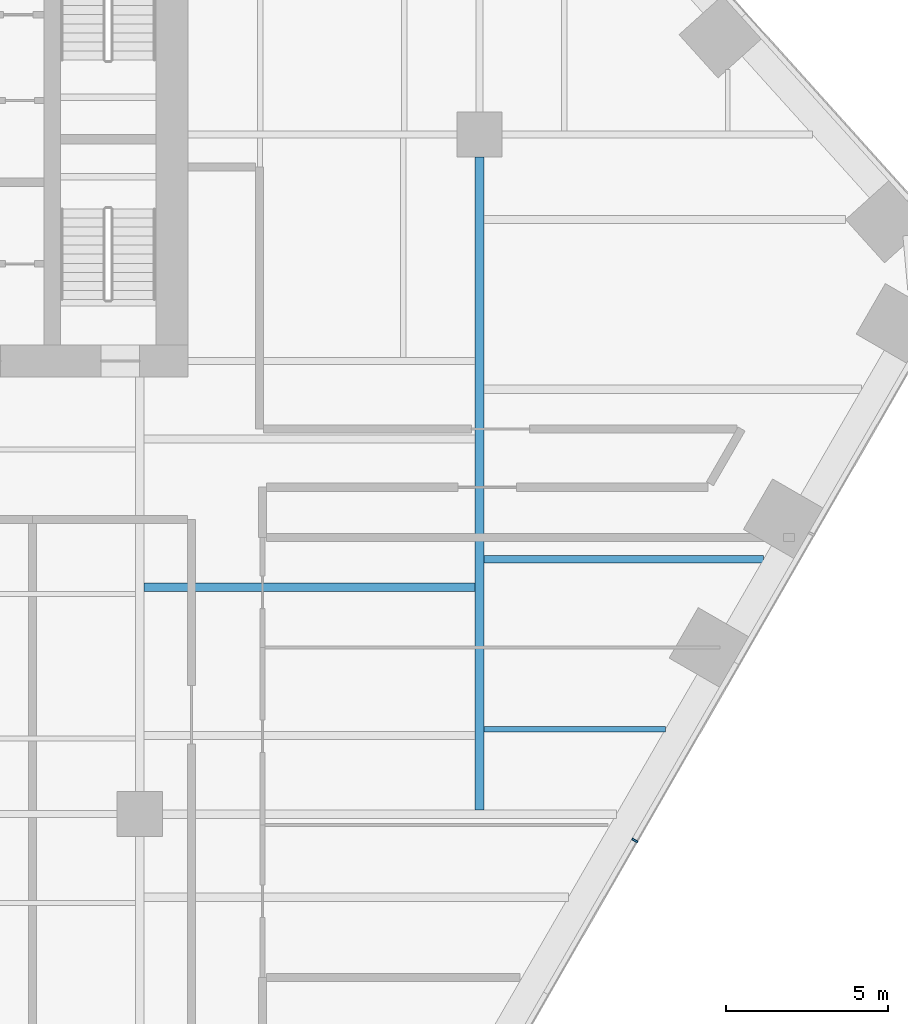
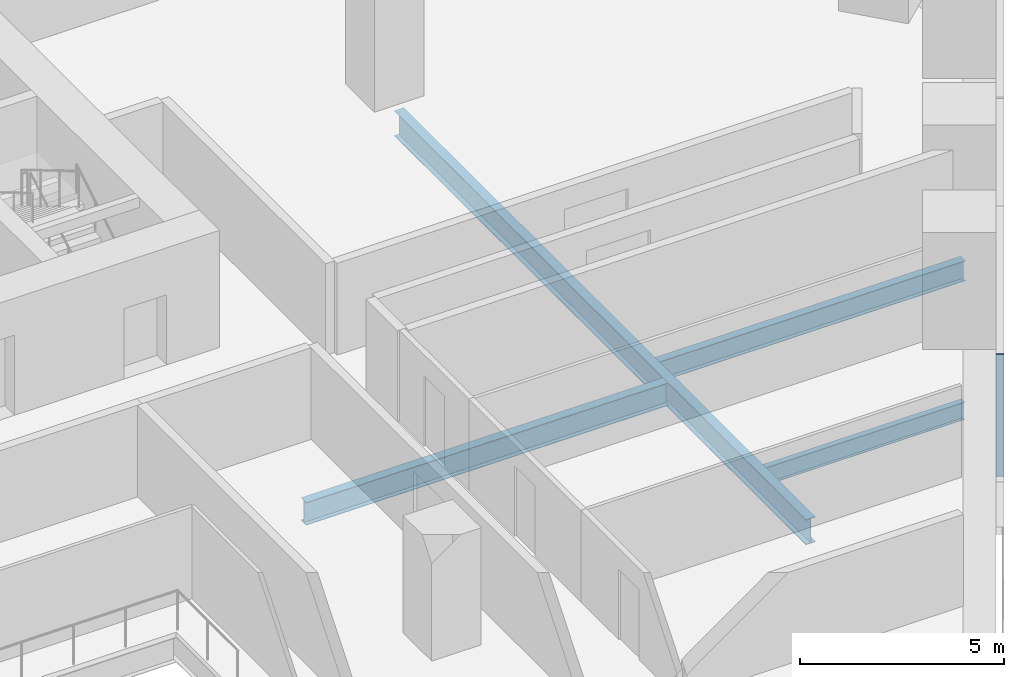
# One storey, part 7 of 20: 4 beams, 1 member, 1 element without a shape of its own.
"""IFC4 building model written with IfcOpenShell, lengths in metres."""

from ifc_helpers import new_model, si_unit, direction, frame, origin, origin_2d, place, context, subcontext, project, spatial, rectangle, i_section, extrude, material, layer, layer_set, material_profile, profile_set, type_object, element, aggregate, save


model = new_model("IFC4")

# Units and contexts
model_context = context("Model", 3, precision=1e-05, world=origin(), true_north=direction((0.0, 1.0)))
body_context = subcontext(model_context, "Body", "Model", "MODEL_VIEW")
ifc_project = project(units=[si_unit("LENGTHUNIT", "METRE"), si_unit("AREAUNIT", "SQUARE_METRE"), si_unit("VOLUMEUNIT", "CUBIC_METRE"), si_unit("PLANEANGLEUNIT", "RADIAN"), si_unit("MASSUNIT", "GRAM", prefix="KILO")], contexts=[model_context])

# Site, building, storey
site_placement = place(None, origin())
site = spatial("IfcSite", under=ifc_project, at=site_placement, CompositionType="ELEMENT")
building_placement = place(site_placement, origin())
building = spatial("IfcBuilding", under=site, at=building_placement, Name="Isthmus Gate Tower", CompositionType="ELEMENT")
storey_placement = place(building_placement, frame((0.0, 0.0, 65.199951171875)))
storey = spatial("IfcBuildingStorey", under=building, at=storey_placement, Name="L14", CompositionType="ELEMENT", Elevation=65.199951171875)

# Curtain wall, member
ifc_material_1 = material(Name="Aluminium, pale champagne anodised", Category="aluminium")
ifc_layer = layer(ifc_material_1, 0.199951171875)
ifc_layer_set = layer_set([ifc_layer], Name="CW-1 UNITISED CURTAIN WALL 200 DEEP")
curtain_wall_type = type_object("IfcCurtainWallType", Name="CW-1 UNITISED CURTAIN WALL 200 DEEP", PredefinedType="NOTDEFINED", material=ifc_layer_set)
curtain_wall_placement = place(storey_placement, origin())
curtain_wall = element("IfcCurtainWall", 1, at=curtain_wall_placement, inside=storey, type_object=curtain_wall_type, Name="CW-1 SE L14", PredefinedType="NOTDEFINED")
ifc_material_2 = material(Name="Aluminium, pale champagne anodised", Category="aluminium")
ifc_material_profile_1 = material_profile(ifc_material_2, rectangle(XDim=0.06005859375, YDim=0.199951171875, at=origin_2d()), Name="60x200")
ifc_profile_set_1 = profile_set([ifc_material_profile_1], Name="Aluminium, pale champagne anodised")
member_type = type_object("IfcMemberType", Name="CW-1 MULLION 60 X 200", PredefinedType="MULLION", material=ifc_profile_set_1)
member_placement = place(storey_placement, frame((28.802001953125, -14.3134765625, 0.0), z_axis=(0.0, 0.0, 1.0), x_axis=(0.5, 0.866025403784, 0.0)))
member = element("IfcMember", 2, at=member_placement, type_object=member_type, Name="CW-1 mullion", PredefinedType="MULLION", context=body_context, shape_type="SweptSolid", body=[
    extrude(rectangle(XDim=0.06005859375, YDim=0.199951171875, at=origin_2d()), origin(), (0.0, 0.0, 1.0), 3.650146484375),
])
aggregate(curtain_wall, [member])

# Beams
ifc_material_3 = material(Name="Structural steel ASTM A992 Gr 50", Category="steel")
ifc_material_profile_2 = material_profile(ifc_material_3, i_section(OverallWidth=0.1650390625, OverallDepth=0.52392578125, WebThickness=0.009521484375, FlangeThickness=0.010986328125, at=origin_2d()), Name="W21X44")
ifc_profile_set_2 = profile_set([ifc_material_profile_2], Name="Structural steel ASTM A992 Gr 50")
beam_type_1 = type_object("IfcBeamType", Name="STEEL FLOOR BEAM W21X44", PredefinedType="JOIST", material=ifc_profile_set_2)
beam_1_placement = place(storey_placement, frame((24.13330078125, -10.875, -0.411865234375), z_axis=(1.0, 0.0, 0.0), x_axis=(0.0, 1.0, 0.0)))
element("IfcBeam", 3, at=beam_1_placement, inside=storey, type_object=beam_type_1, Name="str-beam-L14-34-00", PredefinedType="JOIST", context=body_context, shape_type="SweptSolid", body=[
    extrude(i_section(OverallWidth=0.1650390625, OverallDepth=0.52392578125, WebThickness=0.009521484375, FlangeThickness=0.010986328125, at=origin_2d()), origin(), (0.0, 0.0, 1.0), 5.61474609375),
])
ifc_material_4 = material(Name="Structural steel ASTM A992 Gr 50", Category="steel")
ifc_material_profile_3 = material_profile(ifc_material_4, i_section(OverallWidth=0.228515625, OverallDepth=0.603271484375, WebThickness=0.010986328125, FlangeThickness=0.014404296875, at=origin_2d()), Name="W24X68")
ifc_profile_set_3 = profile_set([ifc_material_profile_3], Name="Structural steel ASTM A992 Gr 50")
beam_type_2 = type_object("IfcBeamType", Name="STEEL FLOOR BEAM W24X68", PredefinedType="JOIST", material=ifc_profile_set_3)
beam_2_placement = place(storey_placement, frame((24.13330078125, -5.625, -0.45166015625), z_axis=(1.0, 0.0, 0.0), x_axis=(0.0, 1.0, 0.0)))
element("IfcBeam", 4, at=beam_2_placement, inside=storey, type_object=beam_type_2, Name="str-beam-L14-34-01", PredefinedType="JOIST", context=body_context, shape_type="SweptSolid", body=[
    extrude(i_section(OverallWidth=0.228515625, OverallDepth=0.603271484375, WebThickness=0.010986328125, FlangeThickness=0.014404296875, at=origin_2d()), origin(), (0.0, 0.0, 1.0), 8.645751953125),
])
ifc_material_5 = material(Name="Structural steel ASTM A992 Gr 50", Category="steel")
ifc_material_profile_4 = material_profile(ifc_material_5, i_section(OverallWidth=0.25390625, OverallDepth=0.679443359375, WebThickness=0.010986328125, FlangeThickness=0.015869140625, at=origin_2d()), Name="W27X84")
ifc_profile_set_4 = profile_set([ifc_material_profile_4], Name="Structural steel ASTM A992 Gr 50")
beam_type_3 = type_object("IfcBeamType", Name="STEEL FLOOR BEAM W27X84", PredefinedType="JOIST", material=ifc_profile_set_4)
beam_3_placement = place(storey_placement, frame((13.6318359375, -6.490478515625, -0.48974609375), z_axis=(1.0, 0.0, 0.0), x_axis=(0.0, 1.0, 0.0)))
element("IfcBeam", 5, at=beam_3_placement, inside=storey, type_object=beam_type_3, Name="str-beam-L14-27-01", PredefinedType="JOIST", context=body_context, shape_type="SweptSolid", body=[
    extrude(i_section(OverallWidth=0.25390625, OverallDepth=0.679443359375, WebThickness=0.010986328125, FlangeThickness=0.015869140625, at=origin_2d()), origin(), (0.0, 0.0, 1.0), 10.23486328125),
])
ifc_material_6 = material(Name="Structural steel ASTM A992 Gr 50", Category="steel")
ifc_material_profile_5 = material_profile(ifc_material_6, i_section(OverallWidth=0.2666015625, OverallDepth=0.7587890625, WebThickness=0.014404296875, FlangeThickness=0.01904296875, at=origin_2d()), Name="W30X108")
ifc_profile_set_5 = profile_set([ifc_material_profile_5], Name="Structural steel ASTM A992 Gr 50")
beam_type_4 = type_object("IfcBeamType", Name="STEEL GIRDER W30X108", PredefinedType="BEAM", material=ifc_profile_set_5)
beam_4_placement = place(storey_placement, frame((24.0, -13.36669921875, -0.529296875), z_axis=(0.0, 1.0, 0.0), x_axis=(-1.0, 0.0, 0.0)))
element("IfcBeam", 6, at=beam_4_placement, inside=storey, type_object=beam_type_4, Name="str-girder-L14-35", PredefinedType="BEAM", context=body_context, shape_type="SweptSolid", body=[
    extrude(i_section(OverallWidth=0.2666015625, OverallDepth=0.7587890625, WebThickness=0.014404296875, FlangeThickness=0.01904296875, at=origin_2d()), origin(), (0.0, 0.0, 1.0), 20.166748046875),
])

save(model, "model.ifc")
